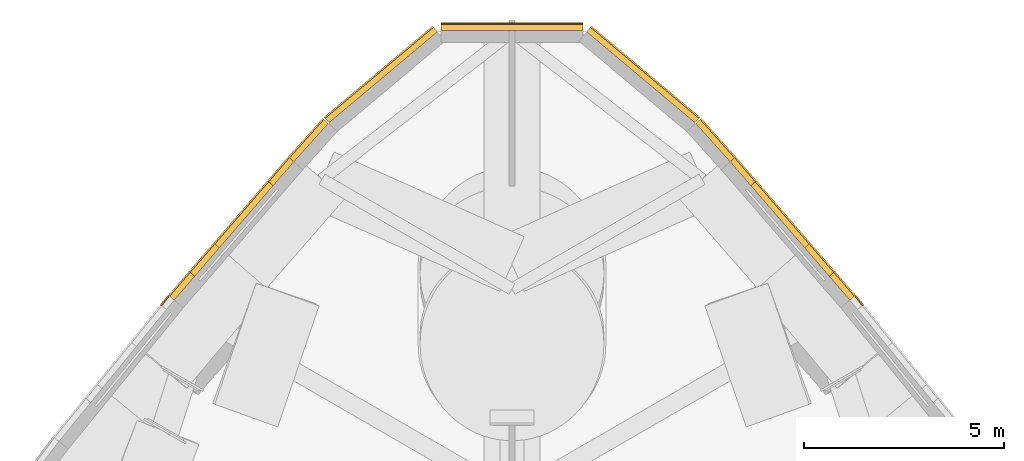
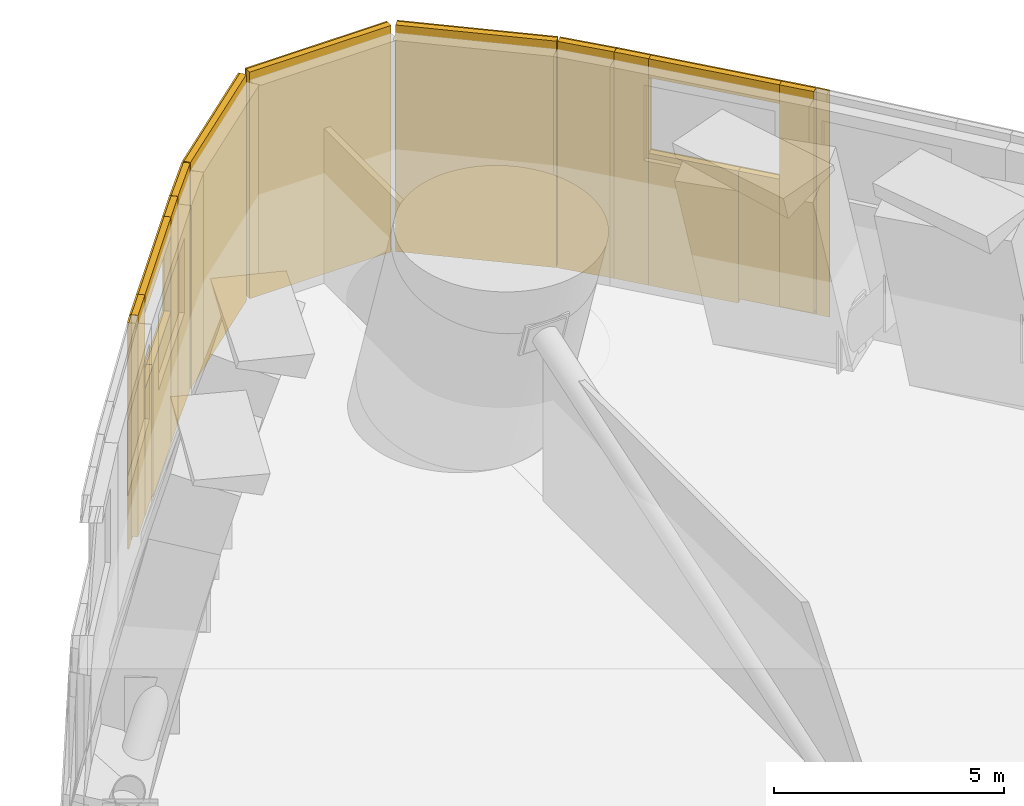
# One storey, part 26 of 28: 30 coverings.
"""IFC4 building model written with IfcOpenShell, lengths in metres."""

from ifc_helpers import new_model, si_unit, direction, frame, origin, origin_2d, place, context, subcontext, project, spatial, rectangle, extrude, material, layer, layer_set, type_object, element, save


model = new_model("IFC4")

# Units and contexts
model_context = context("Model", 3, precision=1e-05, world=origin(), true_north=direction((0.0, 1.0)))
body_context = subcontext(model_context, "Body", "Model", "MODEL_VIEW")
ifc_project = project(units=[si_unit("LENGTHUNIT", "METRE"), si_unit("AREAUNIT", "SQUARE_METRE"), si_unit("VOLUMEUNIT", "CUBIC_METRE"), si_unit("PLANEANGLEUNIT", "RADIAN"), si_unit("MASSUNIT", "GRAM", prefix="KILO")], contexts=[model_context])

# Site, building, storey
site_placement = place(None, origin())
site = spatial("IfcSite", under=ifc_project, at=site_placement, CompositionType="ELEMENT")
building_placement = place(site_placement, origin())
building = spatial("IfcBuilding", under=site, at=building_placement, Name="Trefoil Bronze Tower", CompositionType="ELEMENT")
storey_placement = place(building_placement, frame((0.0, 0.0, 92.10009765625)))
storey = spatial("IfcBuildingStorey", under=building, at=storey_placement, Name="L21", CompositionType="ELEMENT", Elevation=92.10009765625)

# Coverings
ifc_material_1 = material(Name="Bronze-finish aluminium rainscreen panel on aluminium rails", Category="aluminium")
ifc_layer_1 = layer(ifc_material_1, 0.0400390625)
ifc_layer_set_1 = layer_set([ifc_layer_1], Name="Bronze cladding panel 40")
covering_type_1 = type_object("IfcCoveringType", Name="Bronze cladding panel 40", PredefinedType="CLADDING", material=ifc_layer_set_1)
covering_1_placement = place(storey_placement, frame((8.69287109375, 36.083740234375, 0.0), z_axis=(0.0, 0.0, 1.0), x_axis=(-0.631810729566, 0.775122701258, 0.0)))
element("IfcCovering", 1, at=covering_1_placement, inside=storey, type_object=covering_type_1, Name="Cladding panel L21 Face 2.14 piece 2", PredefinedType="CLADDING", context=body_context, shape_type="SweptSolid", body=[
    extrude(rectangle(XDim=0.300048828125, YDim=0.0400390625, at=origin_2d()), origin(), (0.0, 0.0, 1.0), 6.0),
])
for number, where, z_axis, x_axis, name in (
    (2, (8.333251953125, 36.50634765625, 0.0), (0.0, 0.0, 1.0), (-0.65437609074, 0.756169248163, 0.0), "Cladding panel L21 Face 2.15 piece 1"),
    (3, (5.8525390625, 39.373046875, 0.0), (0.0, 0.0, 1.0), (-0.65437609074, 0.756169248163, 0.0), "Cladding panel L21 Face 2.15 piece 2"),
):
    element("IfcCovering", number, at=place(storey_placement, frame(where, z_axis=z_axis, x_axis=x_axis)), inside=storey, type_object=covering_type_1, Name=name, PredefinedType="CLADDING", context=body_context, shape_type="SweptSolid", body=[
        extrude(rectangle(XDim=0.791015625, YDim=0.0400390625, at=origin_2d()), origin(), (0.0, 0.0, 1.0), 6.0),
    ])
covering_2_placement = place(storey_placement, frame((7.0927734375, 37.939697265625, 0.0), z_axis=(0.0, 0.0, 1.0), x_axis=(-0.65437609074, 0.756169248163, 0.0)))
element("IfcCovering", 4, at=covering_2_placement, inside=storey, type_object=covering_type_1, Name="Cladding panel L21 Face 2.15 piece 3", PredefinedType="CLADDING", context=body_context, shape_type="SweptSolid", body=[
    extrude(rectangle(XDim=3.0, YDim=0.0400390625, at=origin_2d()), origin(), (0.0, 0.0, 1.0), 3.5),
])
covering_3_placement = place(storey_placement, frame((7.0927734375, 37.939697265625, 5.5), z_axis=(0.0, 0.0, 1.0), x_axis=(-0.65437609074, 0.756169248163, 0.0)))
element("IfcCovering", 5, at=covering_3_placement, inside=storey, type_object=covering_type_1, Name="Cladding panel L21 Face 2.15 piece 4", PredefinedType="CLADDING", context=body_context, shape_type="SweptSolid", body=[
    extrude(rectangle(XDim=3.0, YDim=0.0400390625, at=origin_2d()), origin(), (0.0, 0.0, 1.0), 0.5),
])
covering_4_placement = place(storey_placement, frame((5.158203125, 40.156494140625, 0.0), z_axis=(0.0, 0.0, 1.0), x_axis=(-0.66857500648, 0.743644714034, 0.0)))
element("IfcCovering", 6, at=covering_4_placement, inside=storey, type_object=covering_type_1, Name="Cladding panel L21 Face 2.16 piece 1", PredefinedType="CLADDING", context=body_context, shape_type="SweptSolid", body=[
    extrude(rectangle(XDim=1.290283203125, YDim=0.0400390625, at=origin_2d()), origin(), (0.0, 0.0, 1.0), 6.0),
])
for number, where, z_axis, x_axis, name in (
    (7, (3.33642578125, 41.80712890625, 0.0), (0.0, 0.0, 1.0), (-0.76604444304, 0.64278760978, 0.0), "Cladding panel L21 Corner 2.1 piece 1"),
    (8, (0.0, 43.021484375, 0.0), (0.0, 0.0, 1.0), (-1.0, 0.0, 0.0), "Cladding panel L21 Corner 2.2 piece 1"),
    (9, (-3.33642578125, 41.80712890625, 0.0), (0.0, 0.0, 1.0), (-0.76604444304, -0.64278760978, 0.0), "Cladding panel L21 Corner 2.3 piece 1"),
):
    element("IfcCovering", number, at=place(storey_placement, frame(where, z_axis=z_axis, x_axis=x_axis)), inside=storey, type_object=covering_type_1, Name=name, PredefinedType="CLADDING", context=body_context, shape_type="SweptSolid", body=[
        extrude(rectangle(XDim=3.545654296875, YDim=0.0400390625, at=origin_2d()), origin(), (0.0, 0.0, 1.0), 6.0),
    ])
covering_5_placement = place(storey_placement, frame((-5.158203125, 40.156494140625, 0.0), z_axis=(0.0, 0.0, 1.0), x_axis=(-0.66857500648, -0.743644714034, 0.0)))
element("IfcCovering", 10, at=covering_5_placement, inside=storey, type_object=covering_type_1, Name="Cladding panel L21 Face 3.1 piece 1", PredefinedType="CLADDING", context=body_context, shape_type="SweptSolid", body=[
    extrude(rectangle(XDim=1.290283203125, YDim=0.0400390625, at=origin_2d()), origin(), (0.0, 0.0, 1.0), 6.0),
])
for number, where, z_axis, x_axis, name in (
    (11, (-5.8525390625, 39.373046875, 0.0), (0.0, 0.0, 1.0), (-0.65437609074, -0.756169248163, 0.0), "Cladding panel L21 Face 3.2 piece 1"),
    (12, (-8.333251953125, 36.50634765625, 0.0), (0.0, 0.0, 1.0), (-0.65437609074, -0.756169248163, 0.0), "Cladding panel L21 Face 3.2 piece 2"),
):
    element("IfcCovering", number, at=place(storey_placement, frame(where, z_axis=z_axis, x_axis=x_axis)), inside=storey, type_object=covering_type_1, Name=name, PredefinedType="CLADDING", context=body_context, shape_type="SweptSolid", body=[
        extrude(rectangle(XDim=0.791015625, YDim=0.0400390625, at=origin_2d()), origin(), (0.0, 0.0, 1.0), 6.0),
    ])
covering_6_placement = place(storey_placement, frame((-7.0927734375, 37.939697265625, 0.0), z_axis=(0.0, 0.0, 1.0), x_axis=(-0.65437609074, -0.756169248163, 0.0)))
element("IfcCovering", 13, at=covering_6_placement, inside=storey, type_object=covering_type_1, Name="Cladding panel L21 Face 3.2 piece 3", PredefinedType="CLADDING", context=body_context, shape_type="SweptSolid", body=[
    extrude(rectangle(XDim=3.0, YDim=0.0400390625, at=origin_2d()), origin(), (0.0, 0.0, 1.0), 3.5),
])
covering_7_placement = place(storey_placement, frame((-7.0927734375, 37.939697265625, 5.5), z_axis=(0.0, 0.0, 1.0), x_axis=(-0.65437609074, -0.756169248163, 0.0)))
element("IfcCovering", 14, at=covering_7_placement, inside=storey, type_object=covering_type_1, Name="Cladding panel L21 Face 3.2 piece 4", PredefinedType="CLADDING", context=body_context, shape_type="SweptSolid", body=[
    extrude(rectangle(XDim=3.0, YDim=0.0400390625, at=origin_2d()), origin(), (0.0, 0.0, 1.0), 0.5),
])
covering_8_placement = place(storey_placement, frame((-8.69287109375, 36.083740234375, 0.0), z_axis=(0.0, 0.0, 1.0), x_axis=(-0.631810729566, -0.775122701258, 0.0)))
element("IfcCovering", 15, at=covering_8_placement, inside=storey, type_object=covering_type_1, Name="Cladding panel L21 Face 3.3 piece 1", PredefinedType="CLADDING", context=body_context, shape_type="SweptSolid", body=[
    extrude(rectangle(XDim=0.300048828125, YDim=0.0400390625, at=origin_2d()), origin(), (0.0, 0.0, 1.0), 6.0),
])
ifc_material_2 = material(Name="Non-combustible mineral wool slab", Category="insulation")
ifc_layer_2 = layer(ifc_material_2, 0.14990234375)
ifc_layer_set_2 = layer_set([ifc_layer_2], Name="Rainscreen insulation 150")
covering_type_2 = type_object("IfcCoveringType", Name="Rainscreen insulation 150", PredefinedType="INSULATION", material=ifc_layer_set_2)
covering_9_placement = place(storey_placement, frame((8.261474609375, 36.4443359375, 0.1298828125), z_axis=(0.0, 0.0, 1.0), x_axis=(-0.65437609074, 0.756169248163, 0.0)))
element("IfcCovering", 16, at=covering_9_placement, inside=storey, type_object=covering_type_2, Name="Insulation L21 Face 2.15 piece 1", PredefinedType="INSULATION", context=body_context, shape_type="SweptSolid", body=[
    extrude(rectangle(XDim=0.791015625, YDim=0.14990234375, at=origin_2d()), origin(), (0.0, 0.0, 1.0), 5.8701171875),
])
covering_10_placement = place(storey_placement, frame((5.780517578125, 39.31103515625, 0.0), z_axis=(0.0, 0.0, 1.0), x_axis=(-0.65437609074, 0.756169248163, 0.0)))
element("IfcCovering", 17, at=covering_10_placement, inside=storey, type_object=covering_type_2, Name="Insulation L21 Face 2.15 piece 2", PredefinedType="INSULATION", context=body_context, shape_type="SweptSolid", body=[
    extrude(rectangle(XDim=0.791015625, YDim=0.14990234375, at=origin_2d()), origin(), (0.0, 0.0, 1.0), 6.0),
])
covering_11_placement = place(storey_placement, frame((7.695068359375, 37.0986328125, 0.11474609375), z_axis=(0.0, 0.0, 1.0), x_axis=(-0.65437609074, 0.756169248163, 0.0)))
element("IfcCovering", 18, at=covering_11_placement, inside=storey, type_object=covering_type_2, Name="Insulation L21 Face 2.15 piece 3", PredefinedType="INSULATION", context=body_context, shape_type="SweptSolid", body=[
    extrude(rectangle(XDim=0.93994140625, YDim=0.14990234375, at=origin_2d()), origin(), (0.0, 0.0, 1.0), 3.385009765625),
])
covering_12_placement = place(storey_placement, frame((6.71337890625, 38.23291015625, 0.0), z_axis=(0.0, 0.0, 1.0), x_axis=(-0.65437609074, 0.756169248163, 0.0)))
element("IfcCovering", 19, at=covering_12_placement, inside=storey, type_object=covering_type_2, Name="Insulation L21 Face 2.15 piece 3 part 2", PredefinedType="INSULATION", context=body_context, shape_type="SweptSolid", body=[
    extrude(rectangle(XDim=2.06005859375, YDim=0.14990234375, at=origin_2d()), origin(), (0.0, 0.0, 1.0), 3.5),
])
covering_13_placement = place(storey_placement, frame((7.02099609375, 37.877685546875, 5.5), z_axis=(0.0, 0.0, 1.0), x_axis=(-0.65437609074, 0.756169248163, 0.0)))
element("IfcCovering", 20, at=covering_13_placement, inside=storey, type_object=covering_type_2, Name="Insulation L21 Face 2.15 piece 4", PredefinedType="INSULATION", context=body_context, shape_type="SweptSolid", body=[
    extrude(rectangle(XDim=3.0, YDim=0.14990234375, at=origin_2d()), origin(), (0.0, 0.0, 1.0), 0.5),
])
covering_14_placement = place(storey_placement, frame((5.087646484375, 40.093017578125, 0.0), z_axis=(0.0, 0.0, 1.0), x_axis=(-0.66857500648, 0.743644714034, 0.0)))
element("IfcCovering", 21, at=covering_14_placement, inside=storey, type_object=covering_type_2, Name="Insulation L21 Face 2.16 piece 1", PredefinedType="INSULATION", context=body_context, shape_type="SweptSolid", body=[
    extrude(rectangle(XDim=1.290283203125, YDim=0.14990234375, at=origin_2d()), origin(), (0.0, 0.0, 1.0), 6.0),
])
for number, where, z_axis, x_axis, name in (
    (22, (3.275390625, 41.734375, 0.0), (0.0, 0.0, 1.0), (-0.76604444304, 0.64278760978, 0.0), "Insulation L21 Corner 2.1 piece 1"),
    (23, (0.0, 42.926513671875, 0.0), (0.0, 0.0, 1.0), (-1.0, 0.0, 0.0), "Insulation L21 Corner 2.2 piece 1"),
    (24, (-3.275390625, 41.734375, 0.0), (0.0, 0.0, 1.0), (-0.76604444304, -0.64278760978, 0.0), "Insulation L21 Corner 2.3 piece 1"),
):
    element("IfcCovering", number, at=place(storey_placement, frame(where, z_axis=z_axis, x_axis=x_axis)), inside=storey, type_object=covering_type_2, Name=name, PredefinedType="INSULATION", context=body_context, shape_type="SweptSolid", body=[
        extrude(rectangle(XDim=3.545654296875, YDim=0.14990234375, at=origin_2d()), origin(), (0.0, 0.0, 1.0), 6.0),
    ])
covering_15_placement = place(storey_placement, frame((-5.087646484375, 40.093017578125, 0.0), z_axis=(0.0, 0.0, 1.0), x_axis=(-0.66857500648, -0.743644714034, 0.0)))
element("IfcCovering", 25, at=covering_15_placement, inside=storey, type_object=covering_type_2, Name="Insulation L21 Face 3.1 piece 1", PredefinedType="INSULATION", context=body_context, shape_type="SweptSolid", body=[
    extrude(rectangle(XDim=1.290283203125, YDim=0.14990234375, at=origin_2d()), origin(), (0.0, 0.0, 1.0), 6.0),
])
covering_16_placement = place(storey_placement, frame((-5.780517578125, 39.31103515625, 0.0), z_axis=(0.0, 0.0, 1.0), x_axis=(-0.65437609074, -0.756169248163, 0.0)))
element("IfcCovering", 26, at=covering_16_placement, inside=storey, type_object=covering_type_2, Name="Insulation L21 Face 3.2 piece 1", PredefinedType="INSULATION", context=body_context, shape_type="SweptSolid", body=[
    extrude(rectangle(XDim=0.791015625, YDim=0.14990234375, at=origin_2d()), origin(), (0.0, 0.0, 1.0), 6.0),
])
covering_17_placement = place(storey_placement, frame((-8.261474609375, 36.4443359375, 0.1298828125), z_axis=(0.0, 0.0, 1.0), x_axis=(-0.65437609074, -0.756169248163, 0.0)))
element("IfcCovering", 27, at=covering_17_placement, inside=storey, type_object=covering_type_2, Name="Insulation L21 Face 3.2 piece 2", PredefinedType="INSULATION", context=body_context, shape_type="SweptSolid", body=[
    extrude(rectangle(XDim=0.791015625, YDim=0.14990234375, at=origin_2d()), origin(), (0.0, 0.0, 1.0), 5.8701171875),
])
covering_18_placement = place(storey_placement, frame((-6.71337890625, 38.23291015625, 0.0), z_axis=(0.0, 0.0, 1.0), x_axis=(-0.65437609074, -0.756169248163, 0.0)))
element("IfcCovering", 28, at=covering_18_placement, inside=storey, type_object=covering_type_2, Name="Insulation L21 Face 3.2 piece 3", PredefinedType="INSULATION", context=body_context, shape_type="SweptSolid", body=[
    extrude(rectangle(XDim=2.06005859375, YDim=0.14990234375, at=origin_2d()), origin(), (0.0, 0.0, 1.0), 3.5),
])
covering_19_placement = place(storey_placement, frame((-7.695068359375, 37.0986328125, 0.11474609375), z_axis=(0.0, 0.0, 1.0), x_axis=(-0.65437609074, -0.756169248163, 0.0)))
element("IfcCovering", 29, at=covering_19_placement, inside=storey, type_object=covering_type_2, Name="Insulation L21 Face 3.2 piece 3 part 2", PredefinedType="INSULATION", context=body_context, shape_type="SweptSolid", body=[
    extrude(rectangle(XDim=0.93994140625, YDim=0.14990234375, at=origin_2d()), origin(), (0.0, 0.0, 1.0), 3.385009765625),
])
covering_20_placement = place(storey_placement, frame((-7.02099609375, 37.877685546875, 5.5), z_axis=(0.0, 0.0, 1.0), x_axis=(-0.65437609074, -0.756169248163, 0.0)))
element("IfcCovering", 30, at=covering_20_placement, inside=storey, type_object=covering_type_2, Name="Insulation L21 Face 3.2 piece 4", PredefinedType="INSULATION", context=body_context, shape_type="SweptSolid", body=[
    extrude(rectangle(XDim=3.0, YDim=0.14990234375, at=origin_2d()), origin(), (0.0, 0.0, 1.0), 0.5),
])

save(model, "model.ifc")
